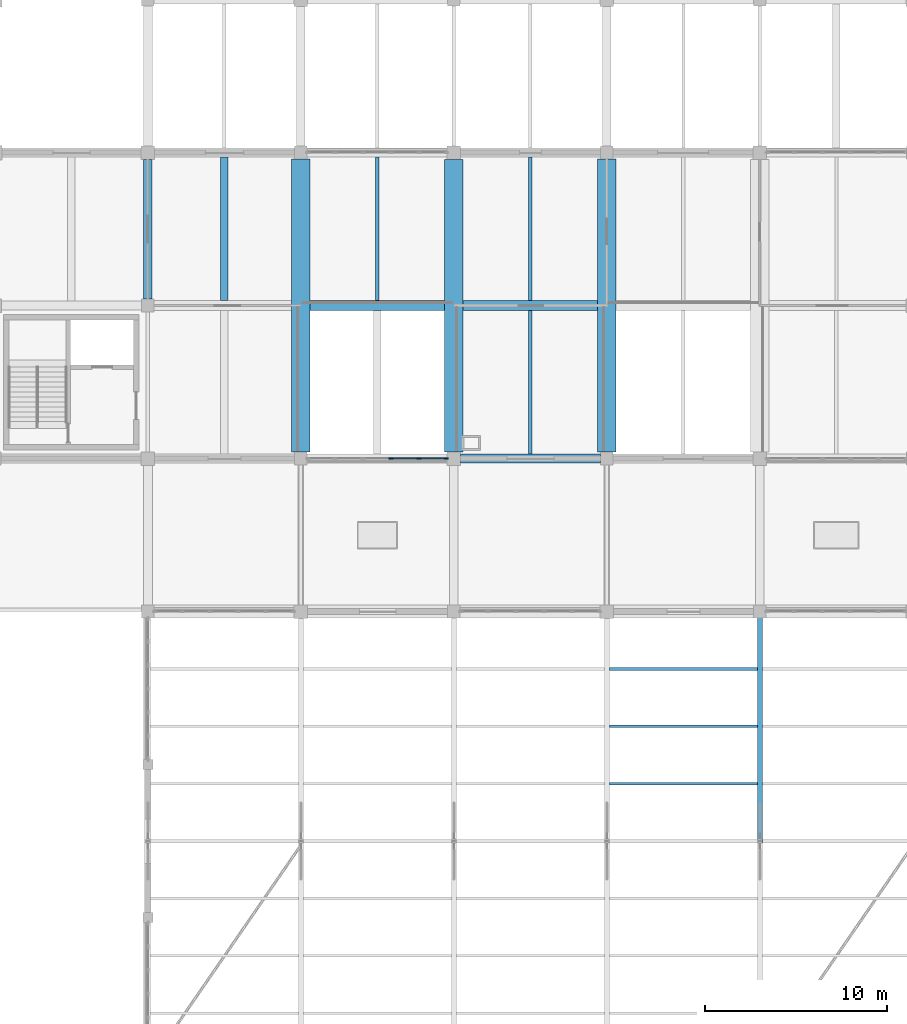
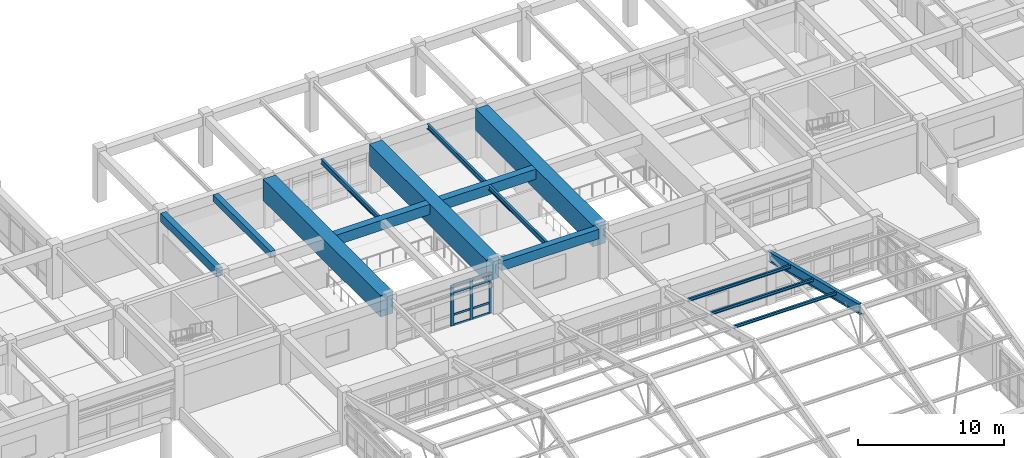
# One storey, part 17 of 99: 14 members, 12 beams, 1 element without a shape of its own.
"""IFC4 building model written with IfcOpenShell, lengths in metres."""

from ifc_helpers import new_model, si_unit, direction, frame, origin, origin_2d, place, context, subcontext, project, spatial, rectangle, i_section, extrude, material, layer, layer_set, material_profile, profile_set, type_object, element, aggregate, save


model = new_model("IFC4")

# Units and contexts
model_context = context("Model", 3, precision=1e-05, world=origin(), true_north=direction((0.0, 1.0)))
body_context = subcontext(model_context, "Body", "Model", "MODEL_VIEW")
ifc_project = project(units=[si_unit("LENGTHUNIT", "METRE"), si_unit("AREAUNIT", "SQUARE_METRE"), si_unit("VOLUMEUNIT", "CUBIC_METRE"), si_unit("PLANEANGLEUNIT", "RADIAN"), si_unit("MASSUNIT", "GRAM", prefix="KILO")], contexts=[model_context])

# Site, building, storey
site_placement = place(None, origin())
site = spatial("IfcSite", under=ifc_project, at=site_placement, CompositionType="ELEMENT")
building_placement = place(site_placement, origin())
building = spatial("IfcBuilding", under=site, at=building_placement, Name="Porcellanite Civic Hall", CompositionType="ELEMENT")
storey_placement = place(building_placement, frame((0.0, 0.0, 5.760009765625)))
storey = spatial("IfcBuildingStorey", under=building, at=storey_placement, Name="L01", CompositionType="ELEMENT", Elevation=5.760009765625)

# Beams
ifc_material_1 = material(Name="Concrete N50 (50 MPa)", Category="concrete")
ifc_material_profile_1 = material_profile(ifc_material_1, rectangle(XDim=0.39990234375, YDim=0.550048828125, at=origin_2d()), Name="RC-400x550")
ifc_profile_set_1 = profile_set([ifc_material_profile_1], Name="Concrete N50 (50 MPa)")
beam_type_1 = type_object("IfcBeamType", Name="BM-RC550", PredefinedType="JOIST", material=ifc_profile_set_1)
beam_1_placement = place(storey_placement, frame((71.39990234375, 59.074462890625, 3.925048828125), z_axis=(0.0, 1.0, 0.0), x_axis=(-1.0, 0.0, 0.0)))
element("IfcBeam", 1, at=beam_1_placement, inside=storey, type_object=beam_type_1, Name="Secondary joist L01 9-8", PredefinedType="JOIST", context=body_context, shape_type="SweptSolid", body=[
    extrude(rectangle(XDim=0.39990234375, YDim=0.550048828125, at=origin_2d()), origin(), (0.0, 0.0, 1.0), 7.8759765625),
])
ifc_material_2 = material(Name="Concrete N50 (50 MPa)", Category="concrete")
ifc_material_profile_2 = material_profile(ifc_material_2, rectangle(XDim=0.449951171875, YDim=0.699951171875, at=origin_2d()), Name="RC-450x700")
ifc_profile_set_2 = profile_set([ifc_material_profile_2], Name="Concrete N50 (50 MPa)")
beam_type_2 = type_object("IfcBeamType", Name="BM-RC700", PredefinedType="BEAM", material=ifc_profile_set_2)
beam_2_placement = place(storey_placement, frame((67.199951171875, 59.1494140625, 3.85009765625), z_axis=(0.0, 1.0, 0.0), x_axis=(-1.0, 0.0, 0.0)))
element("IfcBeam", 2, at=beam_2_placement, inside=storey, type_object=beam_type_2, Name="Beam Y L01 9-8", PredefinedType="BEAM", context=body_context, shape_type="SweptSolid", body=[
    extrude(rectangle(XDim=0.449951171875, YDim=0.699951171875, at=origin_2d()), origin(), (0.0, 0.0, 1.0), 7.676025390625),
])
ifc_material_3 = material(Name="Concrete N50 (50 MPa)", Category="concrete")
ifc_material_profile_3 = material_profile(ifc_material_3, rectangle(XDim=0.5, YDim=0.800048828125, at=origin_2d()), Name="RC-500x800")
ifc_profile_set_3 = profile_set([ifc_material_profile_3], Name="Concrete N50 (50 MPa)")
beam_type_3 = type_object("IfcBeamType", Name="BM-RC800", PredefinedType="BEAM", material=ifc_profile_set_3)
beam_3_placement = place(storey_placement, frame((84.37451171875, 50.39990234375, 3.800048828125), z_axis=(1.0, 0.0, 0.0), x_axis=(0.0, 1.0, 0.0)))
element("IfcBeam", 3, at=beam_3_placement, inside=storey, type_object=beam_type_3, Name="Beam X L01 11-7", PredefinedType="BEAM", context=body_context, shape_type="SweptSolid", body=[
    extrude(rectangle(XDim=0.5, YDim=0.800048828125, at=origin_2d()), origin(), (0.0, 0.0, 1.0), 7.676025390625),
])
ifc_material_4 = material(Name="Concrete N50 (50 MPa)", Category="concrete")
ifc_material_profile_4 = material_profile(ifc_material_4, rectangle(XDim=0.550048828125, YDim=0.85009765625, at=origin_2d()), Name="RC-550x850")
ifc_profile_set_4 = profile_set([ifc_material_profile_4], Name="Concrete N50 (50 MPa)")
beam_type_4 = type_object("IfcBeamType", Name="BM-RC850", PredefinedType="BEAM", material=ifc_profile_set_4)
for number, where, z_axis, x_axis, name in (
    (4, (76.099609375, 58.800048828125, 3.77490234375), (1.0, 0.0, 0.0), (0.0, 1.0, 0.0), "Transfer tie beam 9"),
    (5, (84.49951171875, 58.800048828125, 3.77490234375), (1.0, 0.0, 0.0), (0.0, 1.0, 0.0), "Transfer tie beam 10"),
):
    element("IfcBeam", number, at=place(storey_placement, frame(where, z_axis=z_axis, x_axis=x_axis)), inside=storey, type_object=beam_type_4, Name=name, PredefinedType="BEAM", context=body_context, shape_type="SweptSolid", body=[
        extrude(rectangle(XDim=0.550048828125, YDim=0.85009765625, at=origin_2d()), origin(), (0.0, 0.0, 1.0), 7.40087890625),
    ])

# Curtain wall, members
ifc_material_5 = material(Name="Anodised aluminium and solar laminated glass", Category="aluminium")
ifc_layer = layer(ifc_material_5, 0.179931640625)
ifc_layer_set = layer_set([ifc_layer], Name="Anodised aluminium and solar laminated glass")
curtain_wall_type = type_object("IfcCurtainWallType", Name="CW-SYS01", PredefinedType="NOTDEFINED", material=ifc_layer_set)
curtain_wall_placement = place(storey_placement, origin())
curtain_wall = element("IfcCurtainWall", 6, at=curtain_wall_placement, inside=storey, type_object=curtain_wall_type, Name="Curtain wall CW-092", PredefinedType="NOTDEFINED")
ifc_material_6 = material(Name="Anodised aluminium 6063-T6", Category="aluminium")
ifc_material_profile_5 = material_profile(ifc_material_6, rectangle(XDim=0.080078125, YDim=0.239990234375, at=origin_2d()), Name="AL-80x240")
ifc_profile_set_5 = profile_set([ifc_material_profile_5], Name="Anodised aluminium 6063-T6")
member_type_1 = type_object("IfcMemberType", Name="CWM-01", PredefinedType="MULLION", material=ifc_profile_set_5)
member_1_placement = place(storey_placement, frame((83.583984375, 50.39990234375, 0.0), z_axis=(0.0, 0.0, 1.0), x_axis=(0.0, -1.0, 0.0)))
member_1 = element("IfcMember", 7, at=member_1_placement, type_object=member_type_1, Name="CW-092 mullion 1", PredefinedType="MULLION", context=body_context, shape_type="SweptSolid", body=[
    extrude(rectangle(XDim=0.080078125, YDim=0.239990234375, at=origin_2d()), origin(), (0.0, 0.0, 1.0), 3.39990234375),
])
member_2_placement = place(storey_placement, frame((82.08935546875, 50.39990234375, 0.0), z_axis=(0.0, 0.0, 1.0), x_axis=(0.0, -1.0, 0.0)))
member_2 = element("IfcMember", 8, at=member_2_placement, type_object=member_type_1, Name="CW-092 mullion 2", PredefinedType="MULLION", context=body_context, shape_type="SweptSolid", body=[
    extrude(rectangle(XDim=0.080078125, YDim=0.239990234375, at=origin_2d()), origin(), (0.0, 0.0, 1.0), 3.39990234375),
])
member_3_placement = place(storey_placement, frame((80.5546875, 50.39990234375, 0.0), z_axis=(0.0, 0.0, 1.0), x_axis=(0.0, -1.0, 0.0)))
member_3 = element("IfcMember", 9, at=member_3_placement, type_object=member_type_1, Name="CW-092 mullion 3", PredefinedType="MULLION", context=body_context, shape_type="SweptSolid", body=[
    extrude(rectangle(XDim=0.080078125, YDim=0.239990234375, at=origin_2d()), origin(), (0.0, 0.0, 1.0), 3.39990234375),
])
ifc_material_7 = material(Name="Anodised aluminium 6063-T6", Category="aluminium")
ifc_material_profile_6 = material_profile(ifc_material_7, rectangle(XDim=0.070068359375, YDim=0.175048828125, at=origin_2d()), Name="AL-70x175")
ifc_profile_set_6 = profile_set([ifc_material_profile_6], Name="Anodised aluminium 6063-T6")
member_type_2 = type_object("IfcMemberType", Name="CWT-01", PredefinedType="USERDEFINED", material=ifc_profile_set_6)
member_4_placement = place(storey_placement, frame((83.5439453125, 50.39990234375, 0.034912109375), z_axis=(-1.0, 0.0, 0.0), x_axis=(0.0, -1.0, 0.0)))
member_4 = element("IfcMember", 10, at=member_4_placement, type_object=member_type_2, Name="CW-092 transom 1.1", ObjectType="TRANSOM", PredefinedType="USERDEFINED", context=body_context, shape_type="SweptSolid", body=[
    extrude(rectangle(XDim=0.070068359375, YDim=0.175048828125, at=origin_2d()), origin(), (0.0, 0.0, 1.0), 1.41455078125),
])
member_5_placement = place(storey_placement, frame((83.5439453125, 50.39990234375, 0.89990234375), z_axis=(-1.0, 0.0, 0.0), x_axis=(0.0, -1.0, 0.0)))
member_5 = element("IfcMember", 11, at=member_5_placement, type_object=member_type_2, Name="CW-092 transom 1.2", ObjectType="TRANSOM", PredefinedType="USERDEFINED", context=body_context, shape_type="SweptSolid", body=[
    extrude(rectangle(XDim=0.070068359375, YDim=0.175048828125, at=origin_2d()), origin(), (0.0, 0.0, 1.0), 1.41455078125),
])
member_6_placement = place(storey_placement, frame((83.5439453125, 50.39990234375, 2.75), z_axis=(-1.0, 0.0, 0.0), x_axis=(0.0, -1.0, 0.0)))
member_6 = element("IfcMember", 12, at=member_6_placement, type_object=member_type_2, Name="CW-092 transom 1.3", ObjectType="TRANSOM", PredefinedType="USERDEFINED", context=body_context, shape_type="SweptSolid", body=[
    extrude(rectangle(XDim=0.070068359375, YDim=0.175048828125, at=origin_2d()), origin(), (0.0, 0.0, 1.0), 1.41455078125),
])
member_7_placement = place(storey_placement, frame((83.5439453125, 50.39990234375, 3.364990234375), z_axis=(-1.0, 0.0, 0.0), x_axis=(0.0, -1.0, 0.0)))
member_7 = element("IfcMember", 13, at=member_7_placement, type_object=member_type_2, Name="CW-092 transom 1.4", ObjectType="TRANSOM", PredefinedType="USERDEFINED", context=body_context, shape_type="SweptSolid", body=[
    extrude(rectangle(XDim=0.070068359375, YDim=0.175048828125, at=origin_2d()), origin(), (0.0, 0.0, 1.0), 1.41455078125),
])
member_8_placement = place(storey_placement, frame((82.04931640625, 50.39990234375, 0.034912109375), z_axis=(-1.0, 0.0, 0.0), x_axis=(0.0, -1.0, 0.0)))
member_8 = element("IfcMember", 14, at=member_8_placement, type_object=member_type_2, Name="CW-092 transom 2.1", ObjectType="TRANSOM", PredefinedType="USERDEFINED", context=body_context, shape_type="SweptSolid", body=[
    extrude(rectangle(XDim=0.070068359375, YDim=0.175048828125, at=origin_2d()), origin(), (0.0, 0.0, 1.0), 1.45458984375),
])
member_9_placement = place(storey_placement, frame((82.04931640625, 50.39990234375, 0.89990234375), z_axis=(-1.0, 0.0, 0.0), x_axis=(0.0, -1.0, 0.0)))
member_9 = element("IfcMember", 15, at=member_9_placement, type_object=member_type_2, Name="CW-092 transom 2.2", ObjectType="TRANSOM", PredefinedType="USERDEFINED", context=body_context, shape_type="SweptSolid", body=[
    extrude(rectangle(XDim=0.070068359375, YDim=0.175048828125, at=origin_2d()), origin(), (0.0, 0.0, 1.0), 1.45458984375),
])
member_10_placement = place(storey_placement, frame((82.04931640625, 50.39990234375, 2.75), z_axis=(-1.0, 0.0, 0.0), x_axis=(0.0, -1.0, 0.0)))
member_10 = element("IfcMember", 16, at=member_10_placement, type_object=member_type_2, Name="CW-092 transom 2.3", ObjectType="TRANSOM", PredefinedType="USERDEFINED", context=body_context, shape_type="SweptSolid", body=[
    extrude(rectangle(XDim=0.070068359375, YDim=0.175048828125, at=origin_2d()), origin(), (0.0, 0.0, 1.0), 1.45458984375),
])
member_11_placement = place(storey_placement, frame((82.04931640625, 50.39990234375, 3.364990234375), z_axis=(-1.0, 0.0, 0.0), x_axis=(0.0, -1.0, 0.0)))
member_11 = element("IfcMember", 17, at=member_11_placement, type_object=member_type_2, Name="CW-092 transom 2.4", ObjectType="TRANSOM", PredefinedType="USERDEFINED", context=body_context, shape_type="SweptSolid", body=[
    extrude(rectangle(XDim=0.070068359375, YDim=0.175048828125, at=origin_2d()), origin(), (0.0, 0.0, 1.0), 1.45458984375),
])
aggregate(curtain_wall, [member_1, member_2, member_3, member_4, member_5, member_6, member_7, member_8, member_9, member_10, member_11])

# Beams
ifc_material_8 = material(Name="Steel Grade 350", Category="steel")
ifc_material_profile_7 = material_profile(ifc_material_8, i_section(OverallWidth=0.177978515625, OverallDepth=0.403076171875, WebThickness=0.007568359375, FlangeThickness=0.010986328125, FilletRadius=0.011474609375, at=origin_2d()), Name="410UB53.7")
ifc_profile_set_7 = profile_set([ifc_material_profile_7], Name="Steel Grade 350")
beam_type_5 = type_object("IfcBeamType", Name="JST-410UB54", PredefinedType="JOIST", material=ifc_profile_set_7)
beam_4_placement = place(storey_placement, frame((88.199951171875, 59.074462890625, 3.99853515625), z_axis=(0.0, 1.0, 0.0), x_axis=(-1.0, 0.0, 0.0)))
element("IfcBeam", 18, at=beam_4_placement, inside=storey, type_object=beam_type_5, Name="Secondary joist L01 11-8", PredefinedType="JOIST", context=body_context, shape_type="SweptSolid", body=[
    extrude(i_section(OverallWidth=0.177978515625, OverallDepth=0.403076171875, WebThickness=0.007568359375, FlangeThickness=0.010986328125, FilletRadius=0.011474609375, at=origin_2d()), origin(), (0.0, 0.0, 1.0), 7.8759765625),
])
ifc_material_9 = material(Name="Steel Grade 350", Category="steel")
ifc_material_profile_8 = material_profile(ifc_material_9, i_section(OverallWidth=0.177978515625, OverallDepth=0.406005859375, WebThickness=0.0078125, FlangeThickness=0.0126953125, FilletRadius=0.011474609375, at=origin_2d()), Name="410UB59.7")
ifc_profile_set_8 = profile_set([ifc_material_profile_8], Name="Steel Grade 350")
beam_type_6 = type_object("IfcBeamType", Name="JST-410UB60", PredefinedType="JOIST", material=ifc_profile_set_8)
for number, where, z_axis, x_axis, name in (
    (19, (79.800048828125, 59.074462890625, 3.9970703125), (0.0, 1.0, 0.0), (-1.0, 0.0, 0.0), "Secondary joist L01 10-8"),
    (20, (88.199951171875, 50.6494140625, 3.9970703125), (0.0, 1.0, 0.0), (-1.0, 0.0, 0.0), "Secondary joist L01 11-7"),
):
    element("IfcBeam", number, at=place(storey_placement, frame(where, z_axis=z_axis, x_axis=x_axis)), inside=storey, type_object=beam_type_6, Name=name, PredefinedType="JOIST", context=body_context, shape_type="SweptSolid", body=[
        extrude(i_section(OverallWidth=0.177978515625, OverallDepth=0.406005859375, WebThickness=0.0078125, FlangeThickness=0.0126953125, FilletRadius=0.011474609375, at=origin_2d()), origin(), (0.0, 0.0, 1.0), 7.8759765625),
    ])

# Members
ifc_material_10 = material(Name="Steel Grade 350", Category="steel")
ifc_material_profile_9 = material_profile(ifc_material_10, i_section(OverallWidth=0.14599609375, OverallDepth=0.251953125, WebThickness=0.006103515625, FlangeThickness=0.008544921875, FilletRadius=0.0087890625, at=origin_2d()), Name="250UB31.4")
ifc_profile_set_9 = profile_set([ifc_material_profile_9], Name="Steel Grade 350")
member_type_3 = type_object("IfcMemberType", Name="PUR-250UB31", PredefinedType="PURLIN", material=ifc_profile_set_9)
for number, where, z_axis, x_axis, name in (
    (21, (92.537109375, 32.550048828125, 6.52099609375), (1.0, 0.0, 0.0), (0.0, 1.0, 0.0), "Public Hall purlin 11 32.5"),
    (22, (92.537109375, 35.699951171875, 5.735595703125), (1.0, 0.0, 0.0), (0.0, 1.0, 0.0), "Public Hall purlin 11 35.7"),
    (23, (92.537109375, 38.85009765625, 4.9501953125), (1.0, 0.0, 0.0), (0.0, 1.0, 0.0), "Public Hall purlin 11 38.9"),
):
    element("IfcMember", number, at=place(storey_placement, frame(where, z_axis=z_axis, x_axis=x_axis)), inside=storey, type_object=member_type_3, Name=name, PredefinedType="PURLIN", context=body_context, shape_type="SweptSolid", body=[
        extrude(i_section(OverallWidth=0.14599609375, OverallDepth=0.251953125, WebThickness=0.006103515625, FlangeThickness=0.008544921875, FilletRadius=0.0087890625, at=origin_2d()), origin(), (0.0, 0.0, 1.0), 8.1259765625),
    ])

# Beams
ifc_material_11 = material(Name="Steel Grade 350", Category="steel")
ifc_material_profile_10 = material_profile(ifc_material_11, i_section(OverallWidth=0.27490234375, OverallDepth=0.800048828125, WebThickness=0.010009765625, FlangeThickness=0.01611328125, FilletRadius=0.013916015625, at=origin_2d()), Name="800WB146")
ifc_profile_set_10 = profile_set([ifc_material_profile_10], Name="Steel Grade 350")
beam_type_7 = type_object("IfcBeamType", Name="RAF-800WB", PredefinedType="BEAM", material=ifc_profile_set_10)
beam_5_placement = place(storey_placement, frame((100.800048828125, 29.39990234375, 7.036376953125), z_axis=(0.0, 0.970294924077, -0.241925113021), x_axis=(-1.0, 0.0, 0.0)))
element("IfcBeam", 24, at=beam_5_placement, inside=storey, type_object=beam_type_7, Name="Public Hall north rafter 12", PredefinedType="BEAM", context=body_context, shape_type="SweptSolid", body=[
    extrude(i_section(OverallWidth=0.27490234375, OverallDepth=0.800048828125, WebThickness=0.010009765625, FlangeThickness=0.01611328125, FilletRadius=0.013916015625, at=origin_2d()), origin(), (0.0, 0.0, 1.0), 12.98583984375),
])
ifc_material_12 = material(Name="Concrete N50 (50 MPa)", Category="concrete")
ifc_material_profile_11 = material_profile(ifc_material_12, rectangle(XDim=1.0, YDim=1.800048828125, at=origin_2d()), Name="RC-1000x1800")
ifc_profile_set_11 = profile_set([ifc_material_profile_11], Name="Concrete N50 (50 MPa)")
beam_type_8 = type_object("IfcBeamType", Name="TG-01", PredefinedType="T_BEAM", material=ifc_profile_set_11)
beam_6_placement = place(storey_placement, frame((75.60009765625, 50.74951171875, 3.300048828125), z_axis=(0.0, 1.0, 0.0), x_axis=(-1.0, 0.0, 0.0)))
element("IfcBeam", 25, at=beam_6_placement, inside=storey, type_object=beam_type_8, Name="Chamber transfer girder 9", PredefinedType="T_BEAM", context=body_context, shape_type="SweptSolid", body=[
    extrude(rectangle(XDim=1.0, YDim=1.800048828125, at=origin_2d()), origin(), (0.0, 0.0, 1.0), 16.10107421875),
])
beam_7_placement = place(storey_placement, frame((84.0, 50.7744140625, 3.300048828125), z_axis=(0.0, 1.0, 0.0), x_axis=(-1.0, 0.0, 0.0)))
element("IfcBeam", 26, at=beam_7_placement, inside=storey, type_object=beam_type_8, Name="Chamber transfer girder 10", PredefinedType="T_BEAM", context=body_context, shape_type="SweptSolid", body=[
    extrude(rectangle(XDim=1.0, YDim=1.800048828125, at=origin_2d()), origin(), (0.0, 0.0, 1.0), 16.051025390625),
])
beam_8_placement = place(storey_placement, frame((92.39990234375, 50.74951171875, 3.300048828125), z_axis=(0.0, 1.0, 0.0), x_axis=(-1.0, 0.0, 0.0)))
element("IfcBeam", 27, at=beam_8_placement, inside=storey, type_object=beam_type_8, Name="Chamber transfer girder 11", PredefinedType="T_BEAM", context=body_context, shape_type="SweptSolid", body=[
    extrude(rectangle(XDim=1.0, YDim=1.800048828125, at=origin_2d()), origin(), (0.0, 0.0, 1.0), 16.10107421875),
])

save(model, "model.ifc")
